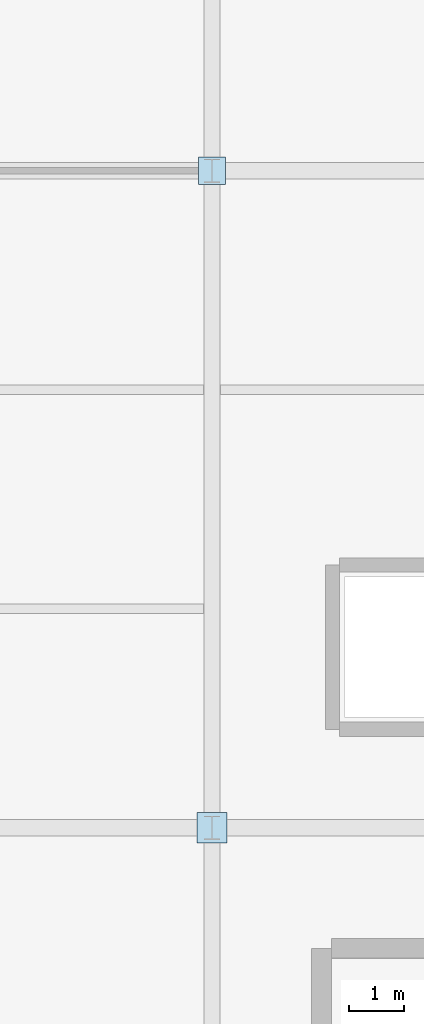
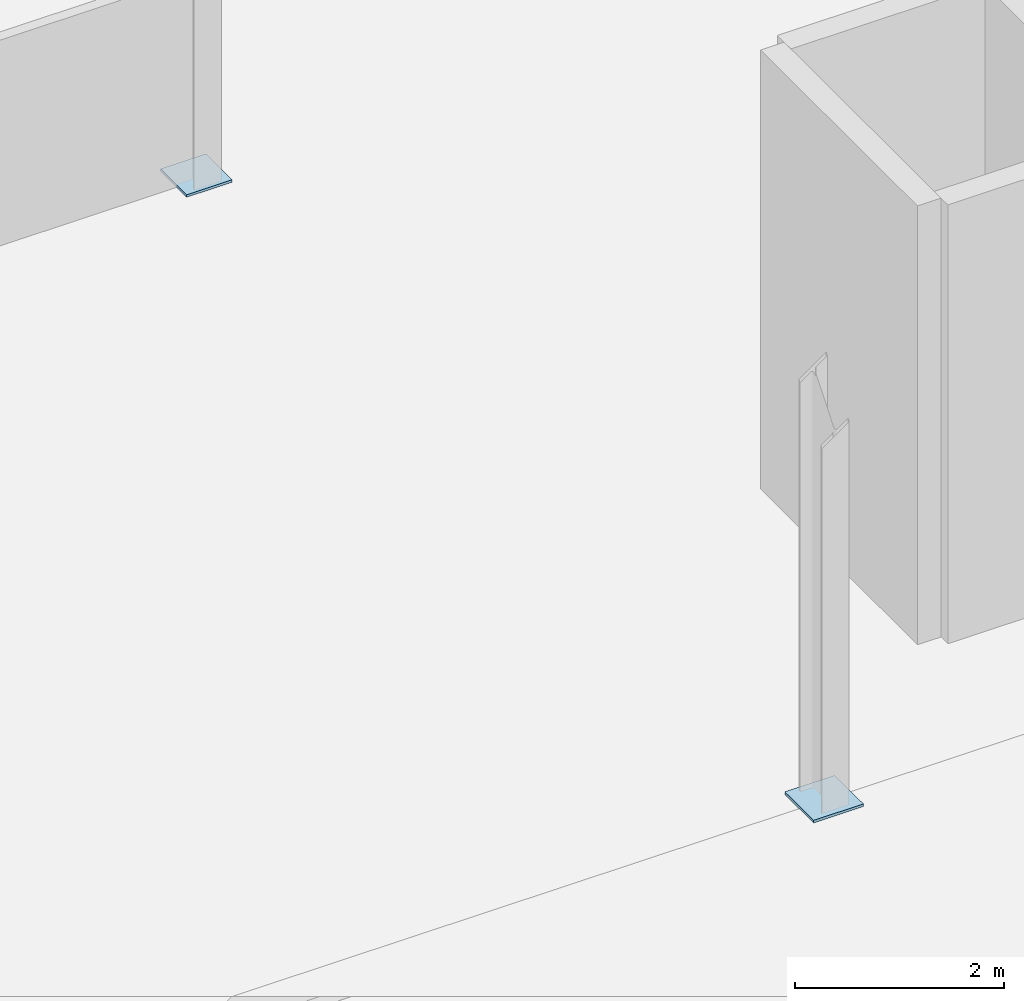
# One storey, part 161 of 196: 2 plates.
"""IFC4 building model written with IfcOpenShell, lengths in metres."""

from ifc_helpers import new_model, si_unit, direction, frame, origin, origin_2d, place, context, subcontext, project, spatial, rectangle, extrude, material, layer, layer_set, type_object, element, save


model = new_model("IFC4")

# Units and contexts
model_context = context("Model", 3, precision=1e-05, world=origin(), true_north=direction((0.0, 1.0)))
body_context = subcontext(model_context, "Body", "Model", "MODEL_VIEW")
ifc_project = project(units=[si_unit("LENGTHUNIT", "METRE"), si_unit("AREAUNIT", "SQUARE_METRE"), si_unit("VOLUMEUNIT", "CUBIC_METRE"), si_unit("PLANEANGLEUNIT", "RADIAN"), si_unit("MASSUNIT", "GRAM", prefix="KILO")], contexts=[model_context])

# Site, building, storey
site_placement = place(None, origin())
site = spatial("IfcSite", under=ifc_project, at=site_placement, CompositionType="ELEMENT")
building_placement = place(site_placement, origin())
building = spatial("IfcBuilding", under=site, at=building_placement, Name="Merenkruunu Market Hall", CompositionType="ELEMENT")
storey_placement = place(building_placement, origin())
storey = spatial("IfcBuildingStorey", under=building, at=storey_placement, Name="L00", CompositionType="ELEMENT", Elevation=0.0)

# Plates
ifc_material = material(Name="Steel S355ML", Category="steel")
ifc_layer_1 = layer(ifc_material, 0.030029296875)
ifc_layer_set_1 = layer_set([ifc_layer_1], Name="Steel S355ML")
plate_type_1 = type_object("IfcPlateType", Name="Column Base Plate BP04", PredefinedType="USERDEFINED", material=ifc_layer_set_1)
plate_1_placement = place(storey_placement, frame((48.0, 63.60009765625, 0.0), z_axis=(0.0, 0.0, 1.0), x_axis=(1.0, 0.0, 0.0)))
element("IfcPlate", 1, at=plate_1_placement, inside=storey, type_object=plate_type_1, Name="PLT-BP-F-08", ObjectType="BASE_PLATE", PredefinedType="USERDEFINED", context=body_context, shape_type="SweptSolid", body=[
    extrude(rectangle(XDim=0.550048828125, YDim=0.550048828125, at=origin_2d()), origin(), (0.0, 0.0, 1.0), 0.030029296875),
])
ifc_layer_2 = layer(ifc_material, 0.028076171875)
ifc_layer_set_2 = layer_set([ifc_layer_2], Name="Steel S355ML")
plate_type_2 = type_object("IfcPlateType", Name="Column Base Plate BP05", PredefinedType="USERDEFINED", material=ifc_layer_set_2)
plate_2_placement = place(storey_placement, frame((48.0, 75.60009765625, 0.0), z_axis=(0.0, 0.0, 1.0), x_axis=(1.0, 0.0, 0.0)))
element("IfcPlate", 2, at=plate_2_placement, inside=storey, type_object=plate_type_2, Name="PLT-BP-F-09", ObjectType="BASE_PLATE", PredefinedType="USERDEFINED", context=body_context, shape_type="SweptSolid", body=[
    extrude(rectangle(XDim=0.5, YDim=0.5, at=origin_2d()), origin(), (0.0, 0.0, 1.0), 0.028076171875),
])

save(model, "model.ifc")
